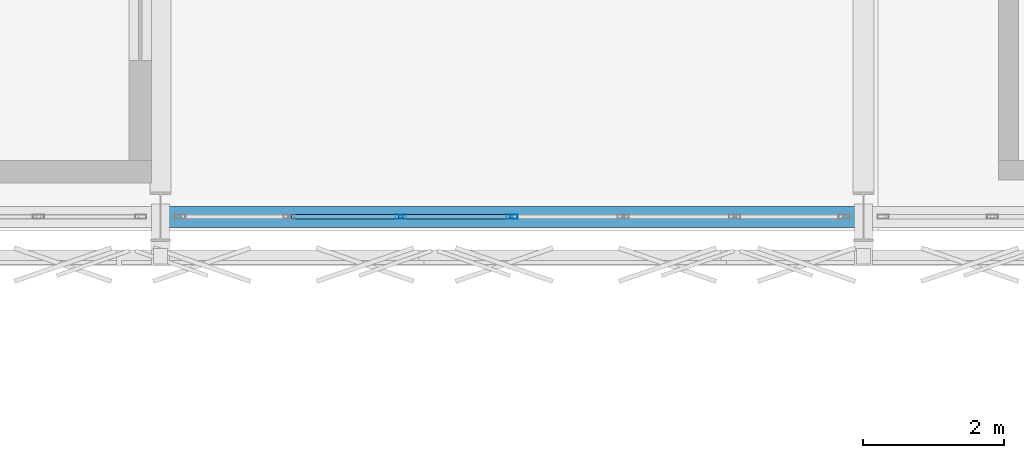
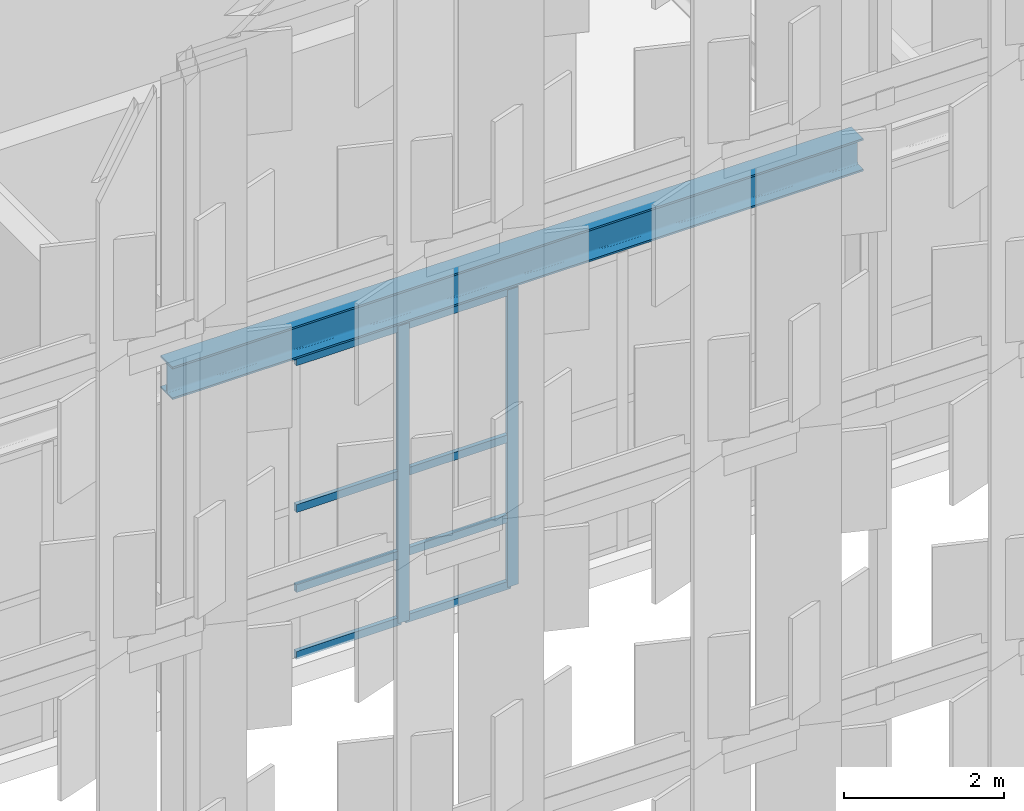
# One storey, part 158 of 239: 10 members, 1 beam, 1 element without a shape of its own.
"""IFC4 building model written with IfcOpenShell, lengths in metres."""

from ifc_helpers import new_model, si_unit, direction, frame, origin, origin_2d, place, context, subcontext, project, spatial, hollow_rectangle, i_section, extrude, material, material_profile, profile_set, type_object, element, aggregate, save


model = new_model("IFC4")

# Units and contexts
model_context = context("Model", 3, precision=1e-05, world=origin(), true_north=direction((0.0, 1.0)))
body_context = subcontext(model_context, "Body", "Model", "MODEL_VIEW")
ifc_project = project(units=[si_unit("LENGTHUNIT", "METRE"), si_unit("AREAUNIT", "SQUARE_METRE"), si_unit("VOLUMEUNIT", "CUBIC_METRE"), si_unit("PLANEANGLEUNIT", "RADIAN"), si_unit("MASSUNIT", "GRAM", prefix="KILO")], contexts=[model_context])

# Site, building, storey
site_placement = place(None, origin())
site = spatial("IfcSite", under=ifc_project, at=site_placement, CompositionType="ELEMENT")
building_placement = place(site_placement, origin())
building = spatial("IfcBuilding", under=site, at=building_placement, Name="Kaldris Quays Convention Centre", CompositionType="ELEMENT")
storey_placement = place(building_placement, frame((0.0, 0.0, 11.39990234375)))
storey = spatial("IfcBuildingStorey", under=building, at=storey_placement, Name="L02", CompositionType="ELEMENT", Elevation=11.39990234375)

# Curtain wall, members
ifc_material_1 = material(Name="Anodized aluminium AW-6060 and triple glazing", Category="aluminium")
curtain_wall_type = type_object("IfcCurtainWallType", Name="UNITISED CURTAIN WALL CW01", PredefinedType="NOTDEFINED", material=ifc_material_1)
curtain_wall_placement = place(storey_placement, origin())
curtain_wall = element("IfcCurtainWall", 1, at=curtain_wall_placement, inside=storey, type_object=curtain_wall_type, Name="L02 Unitised Curtain Wall CW01 30", PredefinedType="NOTDEFINED")
ifc_material_2 = material(Name="Anodized aluminium AW-6060", Category="aluminium")
ifc_material_profile_1 = material_profile(ifc_material_2, hollow_rectangle(XDim=0.06005859375, YDim=0.159912109375, WallThickness=0.00390625, at=origin_2d()), Name="RHS 160x60x4")
ifc_profile_set_1 = profile_set([ifc_material_profile_1], Name="Anodized aluminium AW-6060")
member_type_1 = type_object("IfcMemberType", Name="CURTAIN MULLION CWM1", PredefinedType="MULLION", material=ifc_profile_set_1)
member_1_placement = place(storey_placement, frame((177.416748046875, 56.0, 0.0), z_axis=(0.0, 0.0, 1.0), x_axis=(0.0, 1.0, 0.0)))
member_1 = element("IfcMember", 2, at=member_1_placement, type_object=member_type_1, Name="CW01 mullion 3", PredefinedType="MULLION", context=body_context, shape_type="SweptSolid", body=[
    extrude(hollow_rectangle(XDim=0.06005859375, YDim=0.159912109375, WallThickness=0.00390625, at=origin_2d()), origin(), (0.0, 0.0, 1.0), 4.548095703125),
])
member_2_placement = place(storey_placement, frame((179.0, 56.0, 0.0), z_axis=(0.0, 0.0, 1.0), x_axis=(0.0, 1.0, 0.0)))
member_2 = element("IfcMember", 3, at=member_2_placement, type_object=member_type_1, Name="CW01 mullion 4", PredefinedType="MULLION", context=body_context, shape_type="SweptSolid", body=[
    extrude(hollow_rectangle(XDim=0.06005859375, YDim=0.159912109375, WallThickness=0.00390625, at=origin_2d()), origin(), (0.0, 0.0, 1.0), 4.548095703125),
])
ifc_material_profile_2 = material_profile(ifc_material_2, hollow_rectangle(XDim=0.06005859375, YDim=0.1201171875, WallThickness=0.00390625, at=origin_2d()), Name="RHS 120x60x4")
ifc_profile_set_2 = profile_set([ifc_material_profile_2], Name="Anodized aluminium AW-6060")
member_type_2 = type_object("IfcMemberType", Name="CURTAIN TRANSOM CWT1", PredefinedType="USERDEFINED", material=ifc_profile_set_2)
member_3_placement = place(storey_placement, frame((175.86328125, 56.0, 0.030029296875), z_axis=(1.0, 0.0, 0.0), x_axis=(0.0, 1.0, 0.0)))
member_3 = element("IfcMember", 4, at=member_3_placement, type_object=member_type_2, Name="CW01 transom 2.1", ObjectType="TRANSOM", PredefinedType="USERDEFINED", context=body_context, shape_type="SweptSolid", body=[
    extrude(hollow_rectangle(XDim=0.06005859375, YDim=0.1201171875, WallThickness=0.00390625, at=origin_2d()), origin(), (0.0, 0.0, 1.0), 1.5234375),
])
member_4_placement = place(storey_placement, frame((175.86328125, 56.0, 1.050048828125), z_axis=(1.0, 0.0, 0.0), x_axis=(0.0, 1.0, 0.0)))
member_4 = element("IfcMember", 5, at=member_4_placement, type_object=member_type_2, Name="CW01 transom 2.2", ObjectType="TRANSOM", PredefinedType="USERDEFINED", context=body_context, shape_type="SweptSolid", body=[
    extrude(hollow_rectangle(XDim=0.06005859375, YDim=0.1201171875, WallThickness=0.00390625, at=origin_2d()), origin(), (0.0, 0.0, 1.0), 1.5234375),
])
member_5_placement = place(storey_placement, frame((175.86328125, 56.0, 2.274169921875), z_axis=(1.0, 0.0, 0.0), x_axis=(0.0, 1.0, 0.0)))
member_5 = element("IfcMember", 6, at=member_5_placement, type_object=member_type_2, Name="CW01 transom 2.3", ObjectType="TRANSOM", PredefinedType="USERDEFINED", context=body_context, shape_type="SweptSolid", body=[
    extrude(hollow_rectangle(XDim=0.06005859375, YDim=0.1201171875, WallThickness=0.00390625, at=origin_2d()), origin(), (0.0, 0.0, 1.0), 1.5234375),
])
member_6_placement = place(storey_placement, frame((175.86328125, 56.0, 4.51806640625), z_axis=(1.0, 0.0, 0.0), x_axis=(0.0, 1.0, 0.0)))
member_6 = element("IfcMember", 7, at=member_6_placement, type_object=member_type_2, Name="CW01 transom 2.4", ObjectType="TRANSOM", PredefinedType="USERDEFINED", context=body_context, shape_type="SweptSolid", body=[
    extrude(hollow_rectangle(XDim=0.06005859375, YDim=0.1201171875, WallThickness=0.00390625, at=origin_2d()), origin(), (0.0, 0.0, 1.0), 1.5234375),
])
member_7_placement = place(storey_placement, frame((177.44677734375, 56.0, 0.030029296875), z_axis=(1.0, 0.0, 0.0), x_axis=(0.0, 1.0, 0.0)))
member_7 = element("IfcMember", 8, at=member_7_placement, type_object=member_type_2, Name="CW01 transom 3.1", ObjectType="TRANSOM", PredefinedType="USERDEFINED", context=body_context, shape_type="SweptSolid", body=[
    extrude(hollow_rectangle(XDim=0.06005859375, YDim=0.1201171875, WallThickness=0.00390625, at=origin_2d()), origin(), (0.0, 0.0, 1.0), 1.523193359375),
])
member_8_placement = place(storey_placement, frame((177.44677734375, 56.0, 1.050048828125), z_axis=(1.0, 0.0, 0.0), x_axis=(0.0, 1.0, 0.0)))
member_8 = element("IfcMember", 9, at=member_8_placement, type_object=member_type_2, Name="CW01 transom 3.2", ObjectType="TRANSOM", PredefinedType="USERDEFINED", context=body_context, shape_type="SweptSolid", body=[
    extrude(hollow_rectangle(XDim=0.06005859375, YDim=0.1201171875, WallThickness=0.00390625, at=origin_2d()), origin(), (0.0, 0.0, 1.0), 1.523193359375),
])
member_9_placement = place(storey_placement, frame((177.44677734375, 56.0, 2.274169921875), z_axis=(1.0, 0.0, 0.0), x_axis=(0.0, 1.0, 0.0)))
member_9 = element("IfcMember", 10, at=member_9_placement, type_object=member_type_2, Name="CW01 transom 3.3", ObjectType="TRANSOM", PredefinedType="USERDEFINED", context=body_context, shape_type="SweptSolid", body=[
    extrude(hollow_rectangle(XDim=0.06005859375, YDim=0.1201171875, WallThickness=0.00390625, at=origin_2d()), origin(), (0.0, 0.0, 1.0), 1.523193359375),
])
member_10_placement = place(storey_placement, frame((177.44677734375, 56.0, 4.51806640625), z_axis=(1.0, 0.0, 0.0), x_axis=(0.0, 1.0, 0.0)))
member_10 = element("IfcMember", 11, at=member_10_placement, type_object=member_type_2, Name="CW01 transom 3.4", ObjectType="TRANSOM", PredefinedType="USERDEFINED", context=body_context, shape_type="SweptSolid", body=[
    extrude(hollow_rectangle(XDim=0.06005859375, YDim=0.1201171875, WallThickness=0.00390625, at=origin_2d()), origin(), (0.0, 0.0, 1.0), 1.523193359375),
])
aggregate(curtain_wall, [member_1, member_2, member_3, member_4, member_5, member_6, member_7, member_8, member_9, member_10])

# Beam
ifc_material_3 = material(Name="Steel S355J2", Category="steel")
ifc_material_profile_3 = material_profile(ifc_material_3, i_section(OverallWidth=0.300048828125, OverallDepth=0.5, WebThickness=0.014404296875, FlangeThickness=0.028076171875, FilletRadius=0.027099609375, at=origin_2d()), Name="HEB 500")
ifc_profile_set_3 = profile_set([ifc_material_profile_3], Name="Steel S355J2")
beam_type = type_object("IfcBeamType", Name="STRUCTURAL BEAM BM06", PredefinedType="BEAM", material=ifc_profile_set_3)
beam_placement = place(storey_placement, frame((174.00244140625, 56.0, 4.9130859375), z_axis=(1.0, 0.0, 0.0), x_axis=(0.0, 1.0, 0.0)))
element("IfcBeam", 12, at=beam_placement, inside=storey, type_object=beam_type, Name="L02 Girder BM06 2", PredefinedType="BEAM", context=body_context, shape_type="SweptSolid", body=[
    extrude(i_section(OverallWidth=0.300048828125, OverallDepth=0.5, WebThickness=0.014404296875, FlangeThickness=0.028076171875, FilletRadius=0.027099609375, at=origin_2d()), origin(), (0.0, 0.0, 1.0), 9.9951171875),
])

save(model, "model.ifc")
